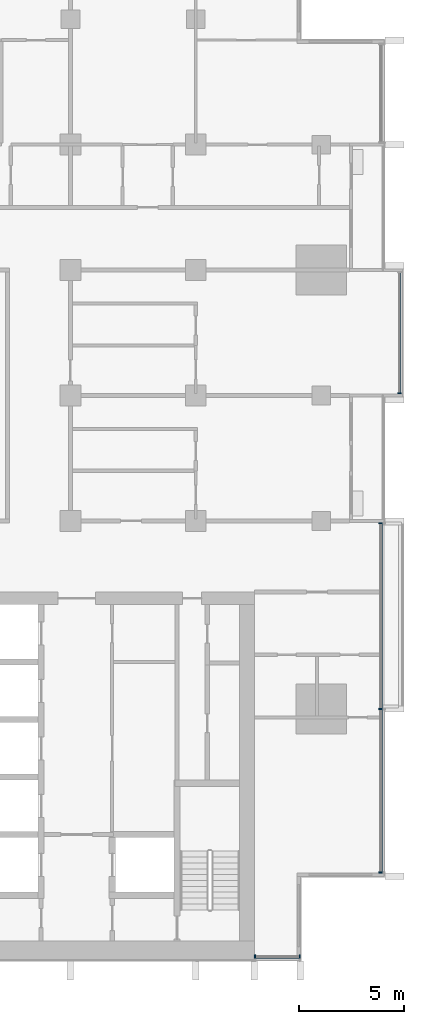
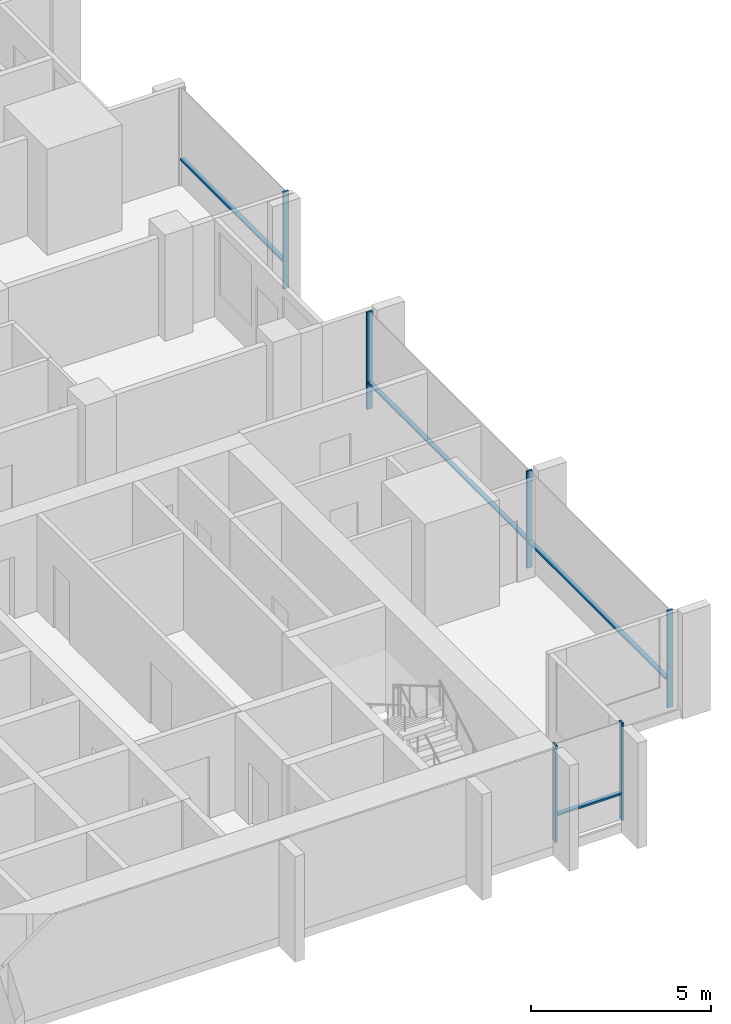
# One storey, part 3 of 17: 10 members, 3 elements without a shape of their own.
"""IFC4 building model written with IfcOpenShell, lengths in metres."""

from ifc_helpers import new_model, si_unit, direction, frame, origin, origin_2d, place, context, subcontext, project, spatial, rectangle, extrude, material, material_profile, profile_set, type_object, element, aggregate, save


model = new_model("IFC4")

# Units and contexts
model_context = context("Model", 3, precision=1e-05, world=origin(), true_north=direction((0.0, 1.0)))
body_context = subcontext(model_context, "Body", "Model", "MODEL_VIEW")
ifc_project = project(units=[si_unit("LENGTHUNIT", "METRE"), si_unit("AREAUNIT", "SQUARE_METRE"), si_unit("VOLUMEUNIT", "CUBIC_METRE"), si_unit("PLANEANGLEUNIT", "RADIAN"), si_unit("MASSUNIT", "GRAM", prefix="KILO")], contexts=[model_context])

# Site, building, storey
site_placement = place(None, origin())
site = spatial("IfcSite", under=ifc_project, at=site_placement, CompositionType="ELEMENT")
building_placement = place(site_placement, origin())
building = spatial("IfcBuilding", under=site, at=building_placement, Name="Finial Court Residences", CompositionType="ELEMENT")
storey_placement = place(building_placement, frame((0.0, 0.0, 181.699951171875)))
storey = spatial("IfcBuildingStorey", under=building, at=storey_placement, Name="L45", CompositionType="ELEMENT", Elevation=181.699951171875)

# Curtain wall, members
ifc_material = material(Name="Bronze anodised aluminium", Category="aluminium")
curtain_wall_type = type_object("IfcCurtainWallType", Name="Unitised curtain wall, upper zones", PredefinedType="NOTDEFINED", material=ifc_material)
curtain_wall_1_placement = place(storey_placement, origin())
curtain_wall_1 = element("IfcCurtainWall", 1, at=curtain_wall_1_placement, inside=storey, type_object=curtain_wall_type, Name="E-L45-CW-E4", PredefinedType="NOTDEFINED")
ifc_material_profile_1 = material_profile(ifc_material, rectangle(XDim=0.175048828125, YDim=0.06005859375, at=origin_2d()), Name="CW2 mullion 60 x 175")
ifc_profile_set_1 = profile_set([ifc_material_profile_1], Name="Bronze anodised aluminium")
member_type_1 = type_object("IfcMemberType", Name="CW2 mullion 60 x 175", PredefinedType="MULLION", material=ifc_profile_set_1)
member_1_placement = place(storey_placement, frame((19.35009765625, -21.320068359375, 0.0), z_axis=(0.0, 0.0, 1.0), x_axis=(-1.0, 0.0, 0.0)))
member_1 = element("IfcMember", 2, at=member_1_placement, type_object=member_type_1, Name="CW2 mullion 1", PredefinedType="MULLION", context=body_context, shape_type="SweptSolid", body=[
    extrude(rectangle(XDim=0.175048828125, YDim=0.06005859375, at=origin_2d()), origin(), (0.0, 0.0, 1.0), 3.300048828125),
])
member_2_placement = place(storey_placement, frame((19.35009765625, -13.5, 0.0), z_axis=(0.0, 0.0, 1.0), x_axis=(-1.0, 0.0, 0.0)))
member_2 = element("IfcMember", 3, at=member_2_placement, type_object=member_type_1, Name="CW2 mullion 2", PredefinedType="MULLION", context=body_context, shape_type="SweptSolid", body=[
    extrude(rectangle(XDim=0.175048828125, YDim=0.06005859375, at=origin_2d()), origin(), (0.0, 0.0, 1.0), 3.300048828125),
])
member_3_placement = place(storey_placement, frame((19.35009765625, -4.60498046875, 0.0), z_axis=(0.0, 0.0, 1.0), x_axis=(-1.0, 0.0, 0.0)))
member_3 = element("IfcMember", 4, at=member_3_placement, type_object=member_type_1, Name="CW2 mullion 3", PredefinedType="MULLION", context=body_context, shape_type="SweptSolid", body=[
    extrude(rectangle(XDim=0.175048828125, YDim=0.06005859375, at=origin_2d()), origin(), (0.0, 0.0, 1.0), 3.300048828125),
])

# Curtain wall, member
curtain_wall_2_placement = place(storey_placement, origin())
curtain_wall_2 = element("IfcCurtainWall", 5, at=curtain_wall_2_placement, inside=storey, type_object=curtain_wall_type, Name="E-L45-CW-E5", PredefinedType="NOTDEFINED")
member_4_placement = place(storey_placement, frame((20.25, 1.60498046875, 0.0), z_axis=(0.0, 0.0, 1.0), x_axis=(-1.0, 0.0, 0.0)))
member_4 = element("IfcMember", 6, at=member_4_placement, type_object=member_type_1, Name="CW2 mullion 1", PredefinedType="MULLION", context=body_context, shape_type="SweptSolid", body=[
    extrude(rectangle(XDim=0.175048828125, YDim=0.06005859375, at=origin_2d()), origin(), (0.0, 0.0, 1.0), 3.300048828125),
])

# Curtain wall, members
curtain_wall_3_placement = place(storey_placement, origin())
curtain_wall_3 = element("IfcCurtainWall", 7, at=curtain_wall_3_placement, inside=storey, type_object=curtain_wall_type, Name="E-L45-CW-S8", PredefinedType="NOTDEFINED")
member_5_placement = place(storey_placement, frame((13.330078125, -25.35009765625, 0.0), z_axis=(0.0, 0.0, 1.0), x_axis=(0.0, 1.0, 0.0)))
member_5 = element("IfcMember", 8, at=member_5_placement, type_object=member_type_1, Name="CW2 mullion 1", PredefinedType="MULLION", context=body_context, shape_type="SweptSolid", body=[
    extrude(rectangle(XDim=0.175048828125, YDim=0.06005859375, at=origin_2d()), origin(), (0.0, 0.0, 1.0), 3.300048828125),
])
member_6_placement = place(storey_placement, frame((15.469970703125, -25.35009765625, 0.0), z_axis=(0.0, 0.0, 1.0), x_axis=(0.0, 1.0, 0.0)))
member_6 = element("IfcMember", 9, at=member_6_placement, type_object=member_type_1, Name="CW2 mullion 2", PredefinedType="MULLION", context=body_context, shape_type="SweptSolid", body=[
    extrude(rectangle(XDim=0.175048828125, YDim=0.06005859375, at=origin_2d()), origin(), (0.0, 0.0, 1.0), 3.300048828125),
])

# Member
ifc_material_profile_2 = material_profile(ifc_material, rectangle(XDim=0.139892578125, YDim=0.06005859375, at=origin_2d()), Name="CW2 transom 60 x 140")
ifc_profile_set_2 = profile_set([ifc_material_profile_2], Name="Bronze anodised aluminium")
member_type_2 = type_object("IfcMemberType", Name="CW2 transom 60 x 140", PredefinedType="USERDEFINED", material=ifc_profile_set_2)
member_7_placement = place(storey_placement, frame((19.35009765625, -21.2900390625, 0.900146484375), z_axis=(0.0, 1.0, 0.0), x_axis=(-1.0, 0.0, 0.0)))
member_7 = element("IfcMember", 10, at=member_7_placement, type_object=member_type_2, Name="CW2 transom 1.1", ObjectType="TRANSOM", PredefinedType="USERDEFINED", context=body_context, shape_type="SweptSolid", body=[
    extrude(rectangle(XDim=0.139892578125, YDim=0.06005859375, at=origin_2d()), origin(), (0.0, 0.0, 1.0), 7.760009765625),
])

member_8_placement = place(storey_placement, frame((19.35009765625, -13.469970703125, 0.900146484375), z_axis=(0.0, 1.0, 0.0), x_axis=(-1.0, 0.0, 0.0)))
member_8 = element("IfcMember", 11, at=member_8_placement, type_object=member_type_2, Name="CW2 transom 2.1", ObjectType="TRANSOM", PredefinedType="USERDEFINED", context=body_context, shape_type="SweptSolid", body=[
    extrude(rectangle(XDim=0.139892578125, YDim=0.06005859375, at=origin_2d()), origin(), (0.0, 0.0, 1.0), 8.8349609375),
])

aggregate(curtain_wall_1, [member_1, member_2, member_3, member_7, member_8])

member_9_placement = place(storey_placement, frame((20.25, 1.635009765625, 0.900146484375), z_axis=(0.0, 1.0, 0.0), x_axis=(-1.0, 0.0, 0.0)))
member_9 = element("IfcMember", 12, at=member_9_placement, type_object=member_type_2, Name="CW2 transom 1.1", ObjectType="TRANSOM", PredefinedType="USERDEFINED", context=body_context, shape_type="SweptSolid", body=[
    extrude(rectangle(XDim=0.139892578125, YDim=0.06005859375, at=origin_2d()), origin(), (0.0, 0.0, 1.0), 5.72998046875),
])

aggregate(curtain_wall_2, [member_4, member_9])

member_10_placement = place(storey_placement, frame((13.360107421875, -25.35009765625, 0.900146484375), z_axis=(1.0, 0.0, 0.0), x_axis=(0.0, 1.0, 0.0)))
member_10 = element("IfcMember", 13, at=member_10_placement, type_object=member_type_2, Name="CW2 transom 1.1", ObjectType="TRANSOM", PredefinedType="USERDEFINED", context=body_context, shape_type="SweptSolid", body=[
    extrude(rectangle(XDim=0.139892578125, YDim=0.06005859375, at=origin_2d()), origin(), (0.0, 0.0, 1.0), 2.079833984375),
])

aggregate(curtain_wall_3, [member_5, member_6, member_10])

save(model, "model.ifc")
